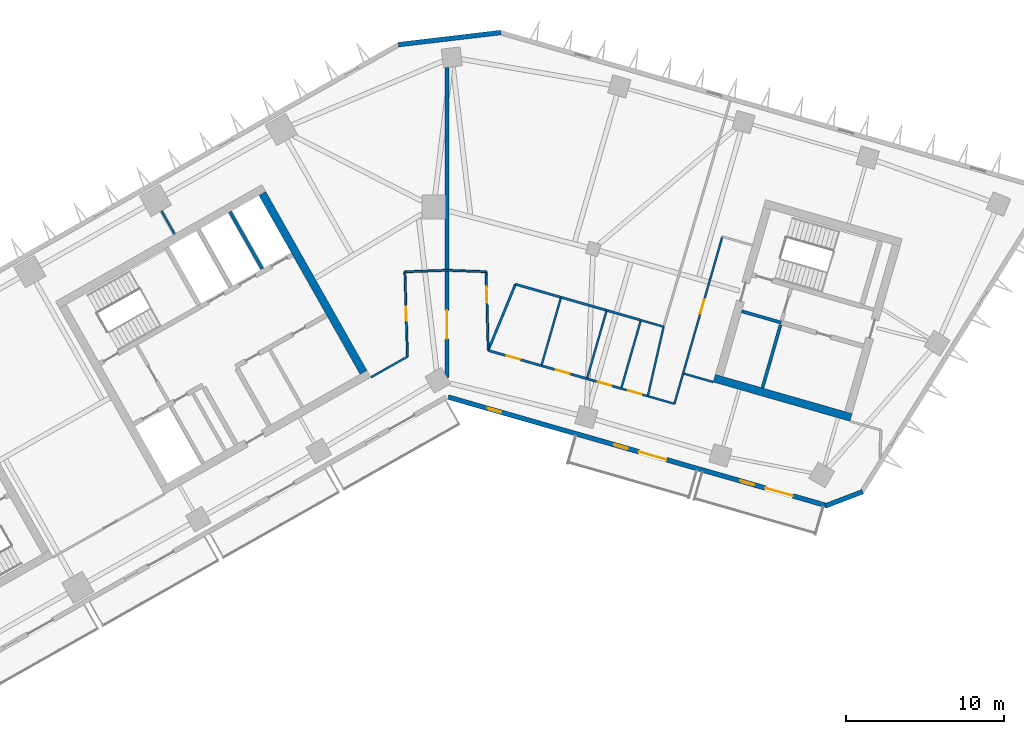
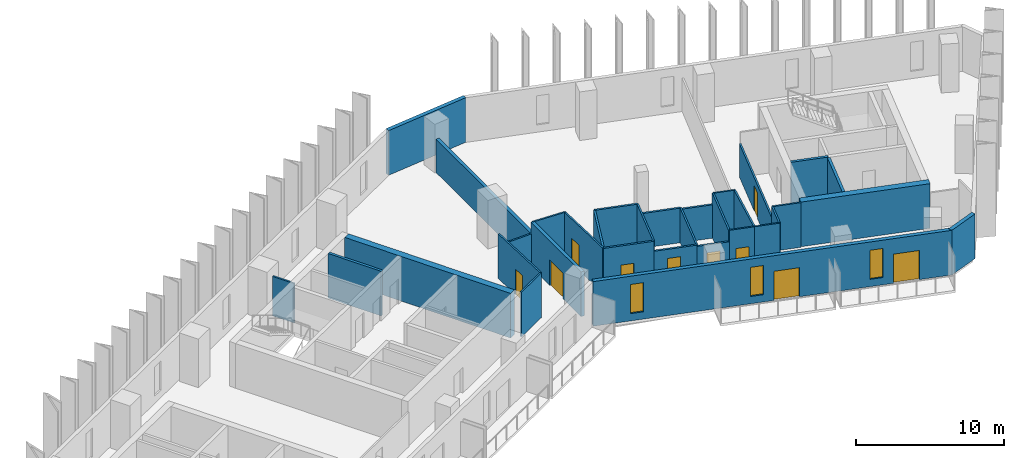
# One storey, part 5 of 10: 33 walls, 10 doors, 3 windows, 13 openings.
"""IFC4 building model written with IfcOpenShell, lengths in metres."""

from ifc_helpers import new_model, si_unit, direction, frame, frame_2d, origin, place, context, subcontext, project, spatial, rectangle, extrude, material, layer, layer_set, type_object, element, fill, save


model = new_model("IFC4")

# Units and contexts
model_context = context("Model", 3, precision=1e-05, world=origin(), true_north=direction((0.0, 1.0)))
body_context = subcontext(model_context, "Body", "Model", "MODEL_VIEW")
ifc_project = project(units=[si_unit("LENGTHUNIT", "METRE"), si_unit("AREAUNIT", "SQUARE_METRE"), si_unit("VOLUMEUNIT", "CUBIC_METRE"), si_unit("PLANEANGLEUNIT", "RADIAN"), si_unit("MASSUNIT", "GRAM", prefix="KILO")], contexts=[model_context])

# Site, building, storey
site_placement = place(None, origin())
site = spatial("IfcSite", under=ifc_project, at=site_placement, CompositionType="ELEMENT")
building_placement = place(site_placement, origin())
building = spatial("IfcBuilding", under=site, at=building_placement, Name="Binnacle Exchange Tower", CompositionType="ELEMENT")
storey_placement = place(building_placement, frame((0.0, 0.0, 170.89990234375)))
storey = spatial("IfcBuildingStorey", under=building, at=storey_placement, Name="L36", CompositionType="ELEMENT", Elevation=170.89990234375)

# Walls
ifc_material_1 = material(Name="Concrete C70/85", Category="concrete")
ifc_layer_1 = layer(ifc_material_1, 0.5)
ifc_layer_set_1 = layer_set([ifc_layer_1], Name="Core wall - outer 500")
wall_type_1 = type_object("IfcWallType", Name="Core wall - outer 500", PredefinedType="SOLIDWALL", material=ifc_layer_set_1)
wall_1_placement = place(storey_placement, frame((-11.686767578125, 60.856201171875, 0.0), z_axis=(0.0, 0.0, 1.0), x_axis=(0.492427267353, -0.870353598469, 0.0)))
element("IfcWall", 1, at=wall_1_placement, inside=storey, type_object=wall_type_1, Name="Core wall CRWC24", PredefinedType="SOLIDWALL", context=body_context, shape_type="SweptSolid", body=[
    extrude(rectangle(XDim=13.0, YDim=0.5, at=frame_2d((6.5, 0.0))), origin(), (0.0, 0.0, 1.0), 3.68017578125),
])
wall_2_placement = place(storey_placement, frame((16.896728515625, 49.173095703125, 0.0), z_axis=(0.0, 0.0, 1.0), x_axis=(0.96126248289, -0.275634611374, 0.0)))
element("IfcWall", 2, at=wall_2_placement, inside=storey, type_object=wall_type_1, Name="Core wall CRWD1", PredefinedType="SOLIDWALL", context=body_context, shape_type="SweptSolid", body=[
    extrude(rectangle(XDim=9.0, YDim=0.5, at=frame_2d((4.5, 0.0))), origin(), (0.0, 0.0, 1.0), 3.68017578125),
])

# Wall, openings, doors, windows
ifc_material_2 = material(Name="Bronze aluminium cladding", Category="aluminium")
ifc_layer_2 = layer(ifc_material_2, 0.300048828125)
ifc_layer_set_2 = layer_set([ifc_layer_2], Name="External wall - spandrel 300")
wall_type_2 = type_object("IfcWallType", Name="External wall - spandrel 300", PredefinedType="STANDARD", material=ifc_layer_set_2)
wall_3_placement = place(storey_placement, frame((24.04248046875, 41.10595703125, 0.0), z_axis=(0.0, 0.0, 1.0), x_axis=(-0.961261693976, 0.275637362661, 0.0)))
wall_3 = element("IfcWall", 3, at=wall_3_placement, inside=storey, type_object=wall_type_2, Name="External wall EW-G02 L36", PredefinedType="STANDARD", context=body_context, shape_type="SweptSolid", body=[
    extrude(rectangle(XDim=24.948486328125, YDim=0.300048828125, at=frame_2d((12.47412109375, 0.0))), origin(), (0.0, 0.0, 1.0), 3.68017578125),
])
opening_1_placement = place(wall_3_placement, frame((21.441162109375, 0.0, 0.60009765625)))
opening_1 = element("IfcOpeningElement", 4, at=opening_1_placement, cuts=wall_3, Name="Opening WS3", PredefinedType="OPENING", context=body_context, shape_type="SweptSolid", body=[
    extrude(rectangle(XDim=0.89990234375, YDim=2.39990234375, at=frame_2d((0.449951171875, 1.199951171875))), frame((0.0, 0.159912109375, 0.0), z_axis=(0.0, -1.0, 0.0), x_axis=(1.0, 0.0, 0.0)), (0.0, 0.0, 1.0), 0.320068359375),
])
opening_2_placement = place(wall_3_placement, frame((13.120849609375, 0.0, 0.60009765625)))
opening_2 = element("IfcOpeningElement", 5, at=opening_2_placement, cuts=wall_3, Name="Opening WS3", PredefinedType="OPENING", context=body_context, shape_type="SweptSolid", body=[
    extrude(rectangle(XDim=0.89990234375, YDim=2.39990234375, at=frame_2d((0.449951171875, 1.199951171875))), frame((0.0, 0.159912109375, 0.0), z_axis=(0.0, -1.0, 0.0), x_axis=(1.0, 0.0, 0.0)), (0.0, 0.0, 1.0), 0.320068359375),
])
opening_3_placement = place(wall_3_placement, frame((10.5908203125, 0.0, 0.0)))
opening_3 = element("IfcOpeningElement", 6, at=opening_3_placement, cuts=wall_3, Name="Opening D-FS11-06", PredefinedType="OPENING", context=body_context, shape_type="SweptSolid", body=[
    extrude(rectangle(XDim=1.800048828125, YDim=2.39990234375, at=frame_2d((0.89990234375, 1.199951171875))), frame((0.0, 0.159912109375, 0.0), z_axis=(0.0, -1.0, 0.0), x_axis=(1.0, 0.0, 0.0)), (0.0, 0.0, 1.0), 0.320068359375),
])
opening_4_placement = place(wall_3_placement, frame((4.80029296875, 0.0, 0.60009765625)))
opening_4 = element("IfcOpeningElement", 7, at=opening_4_placement, cuts=wall_3, Name="Opening WS3", PredefinedType="OPENING", context=body_context, shape_type="SweptSolid", body=[
    extrude(rectangle(XDim=0.89990234375, YDim=2.39990234375, at=frame_2d((0.449951171875, 1.199951171875))), frame((0.0, 0.159912109375, 0.0), z_axis=(0.0, -1.0, 0.0), x_axis=(1.0, 0.0, 0.0)), (0.0, 0.0, 1.0), 0.320068359375),
])
opening_5_placement = place(wall_3_placement, frame((2.270263671875, 0.0, 0.0)))
opening_5 = element("IfcOpeningElement", 8, at=opening_5_placement, cuts=wall_3, Name="Opening D-FS11-07", PredefinedType="OPENING", context=body_context, shape_type="SweptSolid", body=[
    extrude(rectangle(XDim=1.800048828125, YDim=2.39990234375, at=frame_2d((0.89990234375, 1.199951171875))), frame((0.0, 0.159912109375, 0.0), z_axis=(0.0, -1.0, 0.0), x_axis=(1.0, 0.0, 0.0)), (0.0, 0.0, 1.0), 0.320068359375),
])
ifc_material_3 = material(Name="Bronze anodised aluminium frame", Category="aluminium")
door_type_1 = type_object("IfcDoorType", Name="DB DOOR 1800x2400", OperationType="DOUBLE_DOOR_SINGLE_SWING", PredefinedType="DOOR", material=ifc_material_3)
door_1_placement = place(opening_3_placement, origin())
door_1 = element("IfcDoor", 9, at=door_1_placement, inside=storey, type_object=door_type_1, Name="Door D-FS11-06 L36", OperationType="DOUBLE_DOOR_SINGLE_SWING", OverallHeight=2.39990234375, OverallWidth=1.800048828125, PredefinedType="DOOR", context=body_context, shape_type="SweptSolid", body=[
    extrude(rectangle(XDim=1.800048828125, YDim=2.39990234375, at=frame_2d((0.89990234375, 1.199951171875))), frame((0.0, 0.02490234375, 0.0), z_axis=(0.0, -1.0, 0.0), x_axis=(1.0, 0.0, 0.0)), (0.0, 0.0, 1.0), 0.050048828125),
])
fill(opening_3, door_1)
door_2_placement = place(opening_5_placement, origin())
door_2 = element("IfcDoor", 10, at=door_2_placement, inside=storey, type_object=door_type_1, Name="Door D-FS11-07 L36", OperationType="DOUBLE_DOOR_SINGLE_SWING", OverallHeight=2.39990234375, OverallWidth=1.800048828125, PredefinedType="DOOR", context=body_context, shape_type="SweptSolid", body=[
    extrude(rectangle(XDim=1.800048828125, YDim=2.39990234375, at=frame_2d((0.89990234375, 1.199951171875))), frame((0.0, 0.02490234375, 0.0), z_axis=(0.0, -1.0, 0.0), x_axis=(1.0, 0.0, 0.0)), (0.0, 0.0, 1.0), 0.050048828125),
])
fill(opening_5, door_2)
window_type = type_object("IfcWindowType", Name="WS3 WINDOW 900x2400", PartitioningType="SINGLE_PANEL", PredefinedType="WINDOW", material=ifc_material_3)
window_1_placement = place(opening_1_placement, origin())
window_1 = element("IfcWindow", 11, at=window_1_placement, inside=storey, type_object=window_type, Name="Window WS3 L36", OverallHeight=2.39990234375, OverallWidth=0.89990234375, PartitioningType="SINGLE_PANEL", PredefinedType="WINDOW", context=body_context, shape_type="SweptSolid", body=[
    extrude(rectangle(XDim=0.89990234375, YDim=2.39990234375, at=frame_2d((0.449951171875, 1.199951171875))), frame((0.0, 0.030029296875, 0.0), z_axis=(0.0, -1.0, 0.0), x_axis=(1.0, 0.0, 0.0)), (0.0, 0.0, 1.0), 0.06005859375),
])
fill(opening_1, window_1)
window_2_placement = place(opening_2_placement, origin())
window_2 = element("IfcWindow", 12, at=window_2_placement, inside=storey, type_object=window_type, Name="Window WS3 L36", OverallHeight=2.39990234375, OverallWidth=0.89990234375, PartitioningType="SINGLE_PANEL", PredefinedType="WINDOW", context=body_context, shape_type="SweptSolid", body=[
    extrude(rectangle(XDim=0.89990234375, YDim=2.39990234375, at=frame_2d((0.449951171875, 1.199951171875))), frame((0.0, 0.030029296875, 0.0), z_axis=(0.0, -1.0, 0.0), x_axis=(1.0, 0.0, 0.0)), (0.0, 0.0, 1.0), 0.06005859375),
])
fill(opening_2, window_2)
window_3_placement = place(opening_4_placement, origin())
window_3 = element("IfcWindow", 13, at=window_3_placement, inside=storey, type_object=window_type, Name="Window WS3 L36", OverallHeight=2.39990234375, OverallWidth=0.89990234375, PartitioningType="SINGLE_PANEL", PredefinedType="WINDOW", context=body_context, shape_type="SweptSolid", body=[
    extrude(rectangle(XDim=0.89990234375, YDim=2.39990234375, at=frame_2d((0.449951171875, 1.199951171875))), frame((0.0, 0.030029296875, 0.0), z_axis=(0.0, -1.0, 0.0), x_axis=(1.0, 0.0, 0.0)), (0.0, 0.0, 1.0), 0.06005859375),
])
fill(opening_4, window_3)

# Walls
wall_4_placement = place(storey_placement, frame((26.27783203125, 41.996337890625, 0.0), z_axis=(0.0, 0.0, 1.0), x_axis=(-0.933592404159, -0.358336745112, 0.0)))
element("IfcWall", 14, at=wall_4_placement, inside=storey, type_object=wall_type_2, Name="External wall EW-G03 L36", PredefinedType="STANDARD", context=body_context, shape_type="SweptSolid", body=[
    extrude(rectangle(XDim=2.496337890625, YDim=0.300048828125, at=frame_2d((1.248046875, 0.0))), origin(), (0.0, 0.0, 1.0), 3.68017578125),
])
wall_5_placement = place(storey_placement, frame((-3.076171875, 70.27294921875, 0.0), z_axis=(0.0, 0.0, 1.0), x_axis=(0.993067743007, 0.117543429416, 0.0)))
element("IfcWall", 15, at=wall_5_placement, inside=storey, type_object=wall_type_2, Name="External wall EW-G07 L36", PredefinedType="STANDARD", context=body_context, shape_type="SweptSolid", body=[
    extrude(rectangle(XDim=6.515625, YDim=0.300048828125, at=frame_2d((3.2578125, 0.0))), origin(), (0.0, 0.0, 1.0), 3.68017578125),
])

# Wall, opening, door
ifc_material_4 = material(Name="Concrete fire wall C30/37", Category="concrete")
ifc_layer_3 = layer(ifc_material_4, 0.25)
ifc_layer_set_3 = layer_set([ifc_layer_3], Name="Fire wall - compartment 250")
wall_type_3 = type_object("IfcWallType", Name="Fire wall - compartment 250", PredefinedType="PARTITIONING", material=ifc_layer_set_3)
wall_6_placement = place(storey_placement, frame((0.0, 49.218994140625, 0.0), z_axis=(0.0, 0.0, 1.0), x_axis=(0.0, 1.0, 0.0)))
wall_6 = element("IfcWall", 16, at=wall_6_placement, inside=storey, type_object=wall_type_3, Name="Fire Wall W09", PredefinedType="PARTITIONING", context=body_context, shape_type="SweptSolid", body=[
    extrude(rectangle(XDim=6.781005859375, YDim=0.25, at=frame_2d((3.390625, 0.0))), origin(), (0.0, 0.0, 1.0), 3.68017578125),
])
opening_6_placement = place(wall_6_placement, frame((2.449951171875, 0.0, 0.0)))
opening_6 = element("IfcOpeningElement", 17, at=opening_6_placement, cuts=wall_6, Name="Opening DL35-10", PredefinedType="OPENING", context=body_context, shape_type="SweptSolid", body=[
    extrude(rectangle(XDim=1.800048828125, YDim=2.10009765625, at=frame_2d((0.89990234375, 1.050048828125))), frame((0.0, 0.135009765625, 0.0), z_axis=(0.0, -1.0, 0.0), x_axis=(1.0, 0.0, 0.0)), (0.0, 0.0, 1.0), 0.27001953125),
])
ifc_material_5 = material(Name="Steel door leaf", Category="steel")
door_type_2 = type_object("IfcDoorType", Name="Fire door 1800", OperationType="NOTDEFINED", PredefinedType="DOOR", material=ifc_material_5)
door_3_placement = place(opening_6_placement, origin())
door_3 = element("IfcDoor", 18, at=door_3_placement, inside=storey, type_object=door_type_2, Name="Door DL35-10", OperationType="DOUBLE_DOOR_SINGLE_SWING", OverallHeight=2.10009765625, OverallWidth=1.800048828125, PredefinedType="DOOR", context=body_context, shape_type="SweptSolid", body=[
    extrude(rectangle(XDim=1.800048828125, YDim=2.10009765625, at=frame_2d((0.89990234375, 1.050048828125))), frame((0.0, 0.02490234375, 0.0), z_axis=(0.0, -1.0, 0.0), x_axis=(1.0, 0.0, 0.0)), (0.0, 0.0, 1.0), 0.050048828125),
])
fill(opening_6, door_3)

# Walls
wall_7_placement = place(storey_placement, frame((0.0, 56.0, 0.0), z_axis=(0.0, 0.0, 1.0), x_axis=(0.0, 1.0, 0.0)))
element("IfcWall", 19, at=wall_7_placement, inside=storey, type_object=wall_type_3, Name="Fire Wall W10", PredefinedType="PARTITIONING", context=body_context, shape_type="SweptSolid", body=[
    extrude(rectangle(XDim=12.823974609375, YDim=0.25, at=frame_2d((6.412109375, 0.0))), origin(), (0.0, 0.0, 1.0), 2.748046875),
])
ifc_material_6 = material(Name="Gypsum partition fire rated")
ifc_layer_4 = layer(ifc_material_6, 0.14990234375)
ifc_layer_set_4 = layer_set([ifc_layer_4], Name="Fire-rated partition 150")
wall_type_4 = type_object("IfcWallType", Name="Fire-rated partition 150", PredefinedType="PARTITIONING", material=ifc_layer_set_4)
wall_8_placement = place(storey_placement, frame((2.60107421875, 50.931884765625, 0.0), z_axis=(0.0, 0.0, 1.0), x_axis=(0.380066317543, 0.924959239247, 0.0)))
element("IfcWall", 20, at=wall_8_placement, inside=storey, type_object=wall_type_4, Name="Partition W13", PredefinedType="PARTITIONING", context=body_context, shape_type="SweptSolid", body=[
    extrude(rectangle(XDim=4.528076171875, YDim=0.14990234375, at=frame_2d((2.26416015625, 0.0))), origin(), (0.0, 0.0, 1.0), 3.68017578125),
])

# Wall, opening, door
wall_9_placement = place(storey_placement, frame((2.60107421875, 50.931884765625, 0.0), z_axis=(0.0, 0.0, 1.0), x_axis=(0.961265606965, -0.27562371608, 0.0)))
wall_9 = element("IfcWall", 21, at=wall_9_placement, inside=storey, type_object=wall_type_4, Name="Partition W14", PredefinedType="PARTITIONING", context=body_context, shape_type="SweptSolid", body=[
    extrude(rectangle(XDim=3.50048828125, YDim=0.14990234375, at=frame_2d((1.750244140625, 0.0))), origin(), (0.0, 0.0, 1.0), 3.68017578125),
])
opening_7_placement = place(wall_9_placement, frame((1.199951171875, 0.0, 0.0)))
opening_7 = element("IfcOpeningElement", 22, at=opening_7_placement, cuts=wall_9, Name="Opening DL35-04", PredefinedType="OPENING", context=body_context, shape_type="SweptSolid", body=[
    extrude(rectangle(XDim=0.89990234375, YDim=2.10009765625, at=frame_2d((0.449951171875, 1.050048828125))), frame((0.0, 0.0849609375, 0.0), z_axis=(0.0, -1.0, 0.0), x_axis=(1.0, 0.0, 0.0)), (0.0, 0.0, 1.0), 0.169921875),
])
door_type_3 = type_object("IfcDoorType", Name="Fire door 900", OperationType="NOTDEFINED", PredefinedType="DOOR", material=ifc_material_5)
door_4_placement = place(opening_7_placement, origin())
door_4 = element("IfcDoor", 23, at=door_4_placement, inside=storey, type_object=door_type_3, Name="Door DL35-04", OperationType="SINGLE_SWING_LEFT", OverallHeight=2.10009765625, OverallWidth=0.89990234375, PredefinedType="DOOR", context=body_context, shape_type="SweptSolid", body=[
    extrude(rectangle(XDim=0.89990234375, YDim=2.10009765625, at=frame_2d((0.449951171875, 1.050048828125))), frame((0.0, 0.02490234375, 0.0), z_axis=(0.0, -1.0, 0.0), x_axis=(1.0, 0.0, 0.0)), (0.0, 0.0, 1.0), 0.050048828125),
])
fill(opening_7, door_4)

# Wall
wall_10_placement = place(storey_placement, frame((4.322021484375, 55.1201171875, 0.0), z_axis=(0.0, 0.0, 1.0), x_axis=(0.961247103494, -0.275688240636, 0.0)))
element("IfcWall", 24, at=wall_10_placement, inside=storey, type_object=wall_type_4, Name="Partition W15", PredefinedType="PARTITIONING", context=body_context, shape_type="SweptSolid", body=[
    extrude(rectangle(XDim=3.000244140625, YDim=0.14990234375, at=frame_2d((1.5, 0.0))), origin(), (0.0, 0.0, 1.0), 3.68017578125),
])

# Wall, opening, door
wall_11_placement = place(storey_placement, frame((5.966064453125, 49.967041015625, 0.0), z_axis=(0.0, 0.0, 1.0), x_axis=(0.961222353496, -0.275774522283, 0.0)))
wall_11 = element("IfcWall", 25, at=wall_11_placement, inside=storey, type_object=wall_type_4, Name="Partition W17", PredefinedType="PARTITIONING", context=body_context, shape_type="SweptSolid", body=[
    extrude(rectangle(XDim=2.999267578125, YDim=0.14990234375, at=frame_2d((1.49951171875, 0.0))), origin(), (0.0, 0.0, 1.0), 2.85205078125),
])
opening_8_placement = place(wall_11_placement, frame((0.949951171875, 0.0, 0.0)))
opening_8 = element("IfcOpeningElement", 26, at=opening_8_placement, cuts=wall_11, Name="Opening DL35-05", PredefinedType="OPENING", context=body_context, shape_type="SweptSolid", body=[
    extrude(rectangle(XDim=0.89990234375, YDim=2.10009765625, at=frame_2d((0.449951171875, 1.050048828125))), frame((0.0, 0.0849609375, 0.0), z_axis=(0.0, -1.0, 0.0), x_axis=(1.0, 0.0, 0.0)), (0.0, 0.0, 1.0), 0.169921875),
])
door_5_placement = place(opening_8_placement, origin())
door_5 = element("IfcDoor", 27, at=door_5_placement, inside=storey, type_object=door_type_3, Name="Door DL35-05", OperationType="SINGLE_SWING_LEFT", OverallHeight=2.10009765625, OverallWidth=0.89990234375, PredefinedType="DOOR", context=body_context, shape_type="SweptSolid", body=[
    extrude(rectangle(XDim=0.89990234375, YDim=2.10009765625, at=frame_2d((0.449951171875, 1.050048828125))), frame((0.0, 0.02490234375, 0.0), z_axis=(0.0, -1.0, 0.0), x_axis=(1.0, 0.0, 0.0)), (0.0, 0.0, 1.0), 0.050048828125),
])
fill(opening_8, door_5)

# Wall
wall_12_placement = place(storey_placement, frame((7.2060546875, 54.29296875, 0.0), z_axis=(0.0, 0.0, 1.0), x_axis=(0.961268664977, -0.27561305073, 0.0)))
element("IfcWall", 28, at=wall_12_placement, inside=storey, type_object=wall_type_4, Name="Partition W18", PredefinedType="PARTITIONING", context=body_context, shape_type="SweptSolid", body=[
    extrude(rectangle(XDim=3.000244140625, YDim=0.14990234375, at=frame_2d((1.5, 0.0))), origin(), (0.0, 0.0, 1.0), 2.85205078125),
])

# Wall, opening, door
wall_13_placement = place(storey_placement, frame((8.84912109375, 49.139892578125, 0.0), z_axis=(0.0, 0.0, 1.0), x_axis=(0.961298413165, -0.275509275429, 0.0)))
wall_13 = element("IfcWall", 29, at=wall_13_placement, inside=storey, type_object=wall_type_4, Name="Partition W20", PredefinedType="PARTITIONING", context=body_context, shape_type="SweptSolid", body=[
    extrude(rectangle(XDim=2.25, YDim=0.14990234375, at=frame_2d((1.125, 0.0))), origin(), (0.0, 0.0, 1.0), 2.748046875),
])
opening_9_placement = place(wall_13_placement, frame((0.699951171875, 0.0, 0.0)))
opening_9 = element("IfcOpeningElement", 30, at=opening_9_placement, cuts=wall_13, Name="Opening DL35-06", PredefinedType="OPENING", context=body_context, shape_type="SweptSolid", body=[
    extrude(rectangle(XDim=0.89990234375, YDim=2.10009765625, at=frame_2d((0.449951171875, 1.050048828125))), frame((0.0, 0.0849609375, 0.0), z_axis=(0.0, -1.0, 0.0), x_axis=(1.0, 0.0, 0.0)), (0.0, 0.0, 1.0), 0.169921875),
])
door_6_placement = place(opening_9_placement, origin())
door_6 = element("IfcDoor", 31, at=door_6_placement, inside=storey, type_object=door_type_3, Name="Door DL35-06", OperationType="SINGLE_SWING_RIGHT", OverallHeight=2.10009765625, OverallWidth=0.89990234375, PredefinedType="DOOR", context=body_context, shape_type="SweptSolid", body=[
    extrude(rectangle(XDim=0.89990234375, YDim=2.10009765625, at=frame_2d((0.449951171875, 1.050048828125))), frame((0.0, 0.02490234375, 0.0), z_axis=(0.0, -1.0, 0.0), x_axis=(1.0, 0.0, 0.0)), (0.0, 0.0, 1.0), 0.050048828125),
])
fill(opening_9, door_6)

# Walls
wall_14_placement = place(storey_placement, frame((10.090087890625, 53.466064453125, 0.0), z_axis=(0.0, 0.0, 1.0), x_axis=(0.961269670038, -0.275609545309, 0.0)))
element("IfcWall", 32, at=wall_14_placement, inside=storey, type_object=wall_type_4, Name="Partition W21", PredefinedType="PARTITIONING", context=body_context, shape_type="SweptSolid", body=[
    extrude(rectangle(XDim=2.25, YDim=0.14990234375, at=frame_2d((1.125, 0.0))), origin(), (0.0, 0.0, 1.0), 2.748046875),
])
ifc_material_7 = material(Name="Gypsum partition")
ifc_layer_5 = layer(ifc_material_7, 0.125)
ifc_layer_set_5 = layer_set([ifc_layer_5], Name="Partition 125")
wall_type_5 = type_object("IfcWallType", Name="Partition 125", PredefinedType="PARTITIONING", material=ifc_layer_set_5)
wall_15_placement = place(storey_placement, frame((-18.068115234375, 59.756103515625, 0.0), z_axis=(0.0, 0.0, 1.0), x_axis=(0.495061971856, -0.868857666147, 0.0)))
element("IfcWall", 33, at=wall_15_placement, inside=storey, type_object=wall_type_5, Name="Partition W05", PredefinedType="PARTITIONING", context=body_context, shape_type="SweptSolid", body=[
    extrude(rectangle(XDim=1.68505859375, YDim=0.125, at=frame_2d((0.842529296875, 0.0))), origin(), (0.0, 0.0, 1.0), 3.260009765625),
])
wall_16_placement = place(storey_placement, frame((-4.821044921875, 49.22998046875, 0.0), z_axis=(0.0, 0.0, 1.0), x_axis=(0.870371217631, 0.492396124598, 0.0)))
element("IfcWall", 34, at=wall_16_placement, inside=storey, type_object=wall_type_5, Name="Partition W06", PredefinedType="PARTITIONING", context=body_context, shape_type="SweptSolid", body=[
    extrude(rectangle(XDim=2.65869140625, YDim=0.125, at=frame_2d((1.329345703125, 0.0))), origin(), (0.0, 0.0, 1.0), 3.68017578125),
])

# Wall, opening, door
wall_17_placement = place(storey_placement, frame((-2.669921875, 55.904052734375, 0.0), z_axis=(0.0, 0.0, 1.0), x_axis=(0.030338701418, -0.999539675649, 0.0)))
wall_17 = element("IfcWall", 35, at=wall_17_placement, inside=storey, type_object=wall_type_5, Name="Partition W07", PredefinedType="PARTITIONING", context=body_context, shape_type="SweptSolid", body=[
    extrude(rectangle(XDim=5.367431640625, YDim=0.125, at=frame_2d((2.68359375, 0.0))), origin(), (0.0, 0.0, 1.0), 3.68017578125),
])
opening_10_placement = place(wall_17_placement, frame((2.199951171875, 0.0, 0.0)))
opening_10 = element("IfcOpeningElement", 36, at=opening_10_placement, cuts=wall_17, Name="Opening DL35-03", PredefinedType="OPENING", context=body_context, shape_type="SweptSolid", body=[
    extrude(rectangle(XDim=0.89990234375, YDim=2.10009765625, at=frame_2d((0.449951171875, 1.050048828125))), frame((0.0, 0.072509765625, 0.0), z_axis=(0.0, -1.0, 0.0), x_axis=(1.0, 0.0, 0.0)), (0.0, 0.0, 1.0), 0.14501953125),
])
ifc_material_8 = material(Name="Timber door leaf", Category="wood")
door_type_4 = type_object("IfcDoorType", Name="Door 900", OperationType="NOTDEFINED", PredefinedType="DOOR", material=ifc_material_8)
door_7_placement = place(opening_10_placement, frame((0.89990234375, 0.0, 0.0), z_axis=(0.0, 0.0, 1.0), x_axis=(-1.0, 0.0, 0.0)))
door_7 = element("IfcDoor", 37, at=door_7_placement, inside=storey, type_object=door_type_4, Name="Door DL35-03", OperationType="SINGLE_SWING_RIGHT", OverallHeight=2.10009765625, OverallWidth=0.89990234375, PredefinedType="DOOR", context=body_context, shape_type="SweptSolid", body=[
    extrude(rectangle(XDim=0.89990234375, YDim=2.10009765625, at=frame_2d((0.449951171875, 1.050048828125))), frame((0.0, 0.02490234375, 0.0), z_axis=(0.0, -1.0, 0.0), x_axis=(1.0, 0.0, 0.0)), (0.0, 0.0, 1.0), 0.050048828125),
])
fill(opening_10, door_7)

# Walls
wall_18_placement = place(storey_placement, frame((-2.669921875, 55.904052734375, 0.0), z_axis=(0.0, 0.0, 1.0), x_axis=(0.999354913865, 0.03591317494, 0.0)))
element("IfcWall", 38, at=wall_18_placement, inside=storey, type_object=wall_type_5, Name="Partition W08", PredefinedType="PARTITIONING", context=body_context, shape_type="SweptSolid", body=[
    extrude(rectangle(XDim=2.671630859375, YDim=0.125, at=frame_2d((1.3359375, 0.0))), origin(), (0.0, 0.0, 1.0), 2.748046875),
])
wall_19_placement = place(storey_placement, frame((0.0, 56.0, 0.0), z_axis=(0.0, 0.0, 1.0), x_axis=(0.999349313684, -0.036068673934, 0.0)))
element("IfcWall", 39, at=wall_19_placement, inside=storey, type_object=wall_type_5, Name="Partition W11", PredefinedType="PARTITIONING", context=body_context, shape_type="SweptSolid", body=[
    extrude(rectangle(XDim=2.470703125, YDim=0.125, at=frame_2d((1.2353515625, 0.0))), origin(), (0.0, 0.0, 1.0), 3.68017578125),
])

# Wall, opening, door
wall_20_placement = place(storey_placement, frame((2.468994140625, 55.910888671875, 0.0), z_axis=(0.0, 0.0, 1.0), x_axis=(0.02651808123, -0.999648333849, 0.0)))
wall_20 = element("IfcWall", 40, at=wall_20_placement, inside=storey, type_object=wall_type_5, Name="Partition W12", PredefinedType="PARTITIONING", context=body_context, shape_type="SweptSolid", body=[
    extrude(rectangle(XDim=4.980712890625, YDim=0.125, at=frame_2d((2.490234375, 0.0))), origin(), (0.0, 0.0, 1.0), 3.68017578125),
])
opening_11_placement = place(wall_20_placement, frame((0.949951171875, 0.0, 0.0)))
opening_11 = element("IfcOpeningElement", 41, at=opening_11_placement, cuts=wall_20, Name="Opening DL35-08", PredefinedType="OPENING", context=body_context, shape_type="SweptSolid", body=[
    extrude(rectangle(XDim=1.0, YDim=2.10009765625, at=frame_2d((0.5, 1.050048828125))), frame((0.0, 0.072509765625, 0.0), z_axis=(0.0, -1.0, 0.0), x_axis=(1.0, 0.0, 0.0)), (0.0, 0.0, 1.0), 0.14501953125),
])
door_type_5 = type_object("IfcDoorType", Name="Door 1000", OperationType="NOTDEFINED", PredefinedType="DOOR", material=ifc_material_8)
door_8_placement = place(opening_11_placement, origin())
door_8 = element("IfcDoor", 42, at=door_8_placement, inside=storey, type_object=door_type_5, Name="Door DL35-08", OperationType="SINGLE_SWING_LEFT", OverallHeight=2.10009765625, OverallWidth=1.0, PredefinedType="DOOR", context=body_context, shape_type="SweptSolid", body=[
    extrude(rectangle(XDim=1.0, YDim=2.10009765625, at=frame_2d((0.5, 1.050048828125))), frame((0.0, 0.02490234375, 0.0), z_axis=(0.0, -1.0, 0.0), x_axis=(1.0, 0.0, 0.0)), (0.0, 0.0, 1.0), 0.050048828125),
])
fill(opening_11, door_8)

# Walls
wall_21_placement = place(storey_placement, frame((5.966064453125, 49.967041015625, 0.0), z_axis=(0.0, 0.0, 1.0), x_axis=(0.275545040649, 0.96128816209, 0.0)))
element("IfcWall", 43, at=wall_21_placement, inside=storey, type_object=wall_type_5, Name="Partition W16", PredefinedType="PARTITIONING", context=body_context, shape_type="SweptSolid", body=[
    extrude(rectangle(XDim=4.500244140625, YDim=0.125, at=frame_2d((2.25, 0.0))), origin(), (0.0, 0.0, 1.0), 3.68017578125),
])
wall_22_placement = place(storey_placement, frame((8.84912109375, 49.139892578125, 0.0), z_axis=(0.0, 0.0, 1.0), x_axis=(0.275731175537, 0.961234788612, 0.0)))
element("IfcWall", 44, at=wall_22_placement, inside=storey, type_object=wall_type_5, Name="Partition W19", PredefinedType="PARTITIONING", context=body_context, shape_type="SweptSolid", body=[
    extrude(rectangle(XDim=4.500732421875, YDim=0.125, at=frame_2d((2.25048828125, 0.0))), origin(), (0.0, 0.0, 1.0), 2.85205078125),
])
wall_23_placement = place(storey_placement, frame((11.011962890625, 48.52001953125, 0.0), z_axis=(0.0, 0.0, 1.0), x_axis=(0.275745553681, 0.96123066411, 0.0)))
element("IfcWall", 45, at=wall_23_placement, inside=storey, type_object=wall_type_5, Name="Partition W22", PredefinedType="PARTITIONING", context=body_context, shape_type="SweptSolid", body=[
    extrude(rectangle(XDim=4.50048828125, YDim=0.125, at=frame_2d((2.250244140625, 0.0))), origin(), (0.0, 0.0, 1.0), 3.68017578125),
])

# Wall, opening, door
wall_24_placement = place(storey_placement, frame((11.011962890625, 48.52001953125, 0.0), z_axis=(0.0, 0.0, 1.0), x_axis=(0.961323619822, -0.275421309946, 0.0)))
wall_24 = element("IfcWall", 46, at=wall_24_placement, inside=storey, type_object=wall_type_5, Name="Partition W23", PredefinedType="PARTITIONING", context=body_context, shape_type="SweptSolid", body=[
    extrude(rectangle(XDim=1.749755859375, YDim=0.125, at=frame_2d((0.875, 0.0))), origin(), (0.0, 0.0, 1.0), 3.68017578125),
])
opening_12_placement = place(wall_24_placement, frame((0.449951171875, 0.0, 0.0)))
opening_12 = element("IfcOpeningElement", 47, at=opening_12_placement, cuts=wall_24, Name="Opening DL35-07", PredefinedType="OPENING", context=body_context, shape_type="SweptSolid", body=[
    extrude(rectangle(XDim=0.89990234375, YDim=2.10009765625, at=frame_2d((0.449951171875, 1.050048828125))), frame((0.0, 0.072509765625, 0.0), z_axis=(0.0, -1.0, 0.0), x_axis=(1.0, 0.0, 0.0)), (0.0, 0.0, 1.0), 0.14501953125),
])
door_9_placement = place(opening_12_placement, origin())
door_9 = element("IfcDoor", 48, at=door_9_placement, inside=storey, type_object=door_type_4, Name="Door DL35-07", OperationType="SINGLE_SWING_RIGHT", OverallHeight=2.10009765625, OverallWidth=0.89990234375, PredefinedType="DOOR", context=body_context, shape_type="SweptSolid", body=[
    extrude(rectangle(XDim=0.89990234375, YDim=2.10009765625, at=frame_2d((0.449951171875, 1.050048828125))), frame((0.0, 0.02490234375, 0.0), z_axis=(0.0, -1.0, 0.0), x_axis=(1.0, 0.0, 0.0)), (0.0, 0.0, 1.0), 0.050048828125),
])
fill(opening_12, door_9)

# Walls
wall_25_placement = place(storey_placement, frame((12.2529296875, 52.845947265625, 0.0), z_axis=(0.0, 0.0, 1.0), x_axis=(0.961117390016, -0.276140114089, 0.0)))
element("IfcWall", 49, at=wall_25_placement, inside=storey, type_object=wall_type_5, Name="Partition W24", PredefinedType="PARTITIONING", context=body_context, shape_type="SweptSolid", body=[
    extrude(rectangle(XDim=1.49951171875, YDim=0.125, at=frame_2d((0.749755859375, 0.0))), origin(), (0.0, 0.0, 1.0), 3.68017578125),
])
wall_26_placement = place(storey_placement, frame((12.694091796875, 48.0380859375, 0.0), z_axis=(0.0, 0.0, 1.0), x_axis=(0.221918494106, 0.975065219344, 0.0)))
element("IfcWall", 50, at=wall_26_placement, inside=storey, type_object=wall_type_5, Name="Partition W25", PredefinedType="PARTITIONING", context=body_context, shape_type="SweptSolid", body=[
    extrude(rectangle(XDim=4.506103515625, YDim=0.125, at=frame_2d((2.2529296875, 0.0))), origin(), (0.0, 0.0, 1.0), 3.68017578125),
])
wall_27_placement = place(storey_placement, frame((12.694091796875, 48.0380859375, 0.0), z_axis=(0.0, 0.0, 1.0), x_axis=(0.961170605556, -0.275954827854, 0.0)))
element("IfcWall", 51, at=wall_27_placement, inside=storey, type_object=wall_type_5, Name="Partition W26", PredefinedType="PARTITIONING", context=body_context, shape_type="SweptSolid", body=[
    extrude(rectangle(XDim=1.750732421875, YDim=0.125, at=frame_2d((0.87548828125, 0.0))), origin(), (0.0, 0.0, 1.0), 3.68017578125),
])
wall_28_placement = place(storey_placement, frame((14.376953125, 47.554931640625, 0.0), z_axis=(0.0, 0.0, 1.0), x_axis=(0.275446387355, 0.961316434736, 0.0)))
element("IfcWall", 52, at=wall_28_placement, inside=storey, type_object=wall_type_5, Name="Partition W28", PredefinedType="PARTITIONING", context=body_context, shape_type="SweptSolid", body=[
    extrude(rectangle(XDim=2.00048828125, YDim=0.125, at=frame_2d((1.000244140625, 0.0))), origin(), (0.0, 0.0, 1.0), 3.68017578125),
])
wall_29_placement = place(storey_placement, frame((14.927978515625, 49.47802734375, 0.0), z_axis=(0.0, 0.0, 1.0), x_axis=(0.961243778232, -0.27569983462, 0.0)))
element("IfcWall", 53, at=wall_29_placement, inside=storey, type_object=wall_type_5, Name="Partition W29", PredefinedType="PARTITIONING", context=body_context, shape_type="SweptSolid", body=[
    extrude(rectangle(XDim=1.9765625, YDim=0.125, at=frame_2d((0.98828125, 0.0))), origin(), (0.0, 0.0, 1.0), 3.68017578125),
])

# Wall, opening, door
wall_30_placement = place(storey_placement, frame((14.927978515625, 49.47802734375, 0.0), z_axis=(0.0, 0.0, 1.0), x_axis=(0.275674053528, 0.961251172281, 0.0)))
wall_30 = element("IfcWall", 54, at=wall_30_placement, inside=storey, type_object=wall_type_5, Name="Partition W30", PredefinedType="PARTITIONING", context=body_context, shape_type="SweptSolid", body=[
    extrude(rectangle(XDim=8.99951171875, YDim=0.125, at=frame_2d((4.499755859375, 0.0))), origin(), (0.0, 0.0, 1.0), 2.748046875),
])
opening_13_placement = place(wall_30_placement, frame((3.949951171875, 0.0, 0.0)))
opening_13 = element("IfcOpeningElement", 55, at=opening_13_placement, cuts=wall_30, Name="Opening DL35-09", PredefinedType="OPENING", context=body_context, shape_type="SweptSolid", body=[
    extrude(rectangle(XDim=0.89990234375, YDim=2.10009765625, at=frame_2d((0.449951171875, 1.050048828125))), frame((0.0, 0.072509765625, 0.0), z_axis=(0.0, -1.0, 0.0), x_axis=(1.0, 0.0, 0.0)), (0.0, 0.0, 1.0), 0.14501953125),
])
door_10_placement = place(opening_13_placement, origin())
door_10 = element("IfcDoor", 56, at=door_10_placement, inside=storey, type_object=door_type_4, Name="Door DL35-09", OperationType="SINGLE_SWING_LEFT", OverallHeight=2.10009765625, OverallWidth=0.89990234375, PredefinedType="DOOR", context=body_context, shape_type="SweptSolid", body=[
    extrude(rectangle(XDim=0.89990234375, YDim=2.10009765625, at=frame_2d((0.449951171875, 1.050048828125))), frame((0.0, 0.02490234375, 0.0), z_axis=(0.0, -1.0, 0.0), x_axis=(1.0, 0.0, 0.0)), (0.0, 0.0, 1.0), 0.050048828125),
])
fill(opening_13, door_10)

# Walls
ifc_material_9 = material(Name="Masonry block wall", Category="masonry")
ifc_layer_6 = layer(ifc_material_9, 0.199951171875)
ifc_layer_set_6 = layer_set([ifc_layer_6], Name="Riser wall 200")
wall_type_6 = type_object("IfcWallType", Name="Riser wall 200", PredefinedType="SOLIDWALL", material=ifc_layer_set_6)
wall_31_placement = place(storey_placement, frame((18.631591796875, 53.4091796875, 0.0), z_axis=(0.0, 0.0, 1.0), x_axis=(0.961247078216, -0.275688328772, 0.0)))
element("IfcWall", 57, at=wall_31_placement, inside=storey, type_object=wall_type_6, Name="Core wall CRWD2", PredefinedType="SOLIDWALL", context=body_context, shape_type="SweptSolid", body=[
    extrude(rectangle(XDim=2.60009765625, YDim=0.199951171875, at=frame_2d((1.300048828125, 0.0))), origin(), (0.0, 0.0, 1.0), 3.68017578125),
])
wall_32_placement = place(storey_placement, frame((19.945556640625, 48.55908203125, 0.0), z_axis=(0.0, 0.0, 1.0), x_axis=(0.275668905258, 0.961252648721, 0.0)))
element("IfcWall", 58, at=wall_32_placement, inside=storey, type_object=wall_type_6, Name="Core wall CRWD8", PredefinedType="SOLIDWALL", context=body_context, shape_type="SweptSolid", body=[
    extrude(rectangle(XDim=4.150146484375, YDim=0.199951171875, at=frame_2d((2.0751953125, 0.0))), origin(), (0.0, 0.0, 1.0), 3.68017578125),
])
ifc_layer_7 = layer(ifc_material_9, 0.199951171875)
ifc_layer_set_7 = layer_set([ifc_layer_7], Name="Shaft wall 200")
wall_type_7 = type_object("IfcWallType", Name="Shaft wall 200", PredefinedType="SOLIDWALL", material=ifc_layer_set_7)
wall_33_placement = place(storey_placement, frame((-13.73193359375, 59.698974609375, 0.0), z_axis=(0.0, 0.0, 1.0), x_axis=(0.492396453737, -0.870371031427, 0.0)))
element("IfcWall", 59, at=wall_33_placement, inside=storey, type_object=wall_type_7, Name="Core wall CRWC21", PredefinedType="SOLIDWALL", context=body_context, shape_type="SweptSolid", body=[
    extrude(rectangle(XDim=4.14990234375, YDim=0.199951171875, at=frame_2d((2.074951171875, 0.0))), origin(), (0.0, 0.0, 1.0), 3.68017578125),
])

save(model, "model.ifc")
